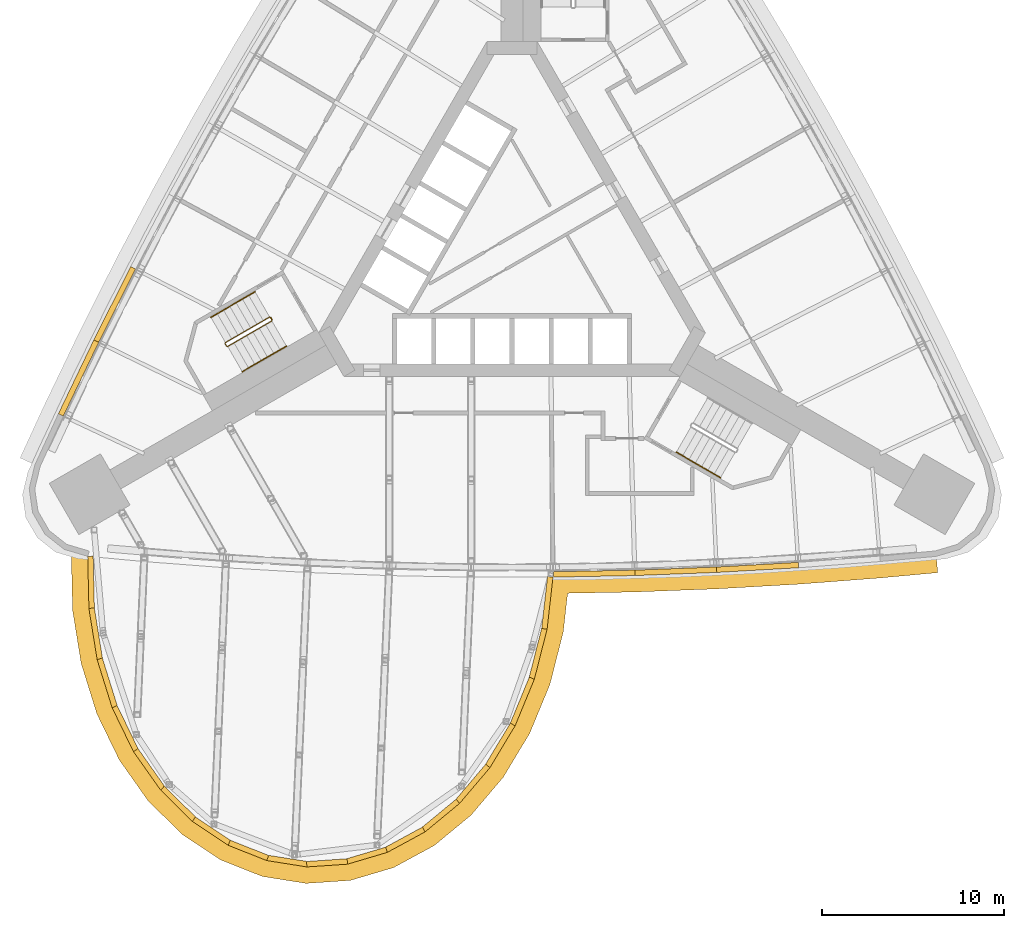
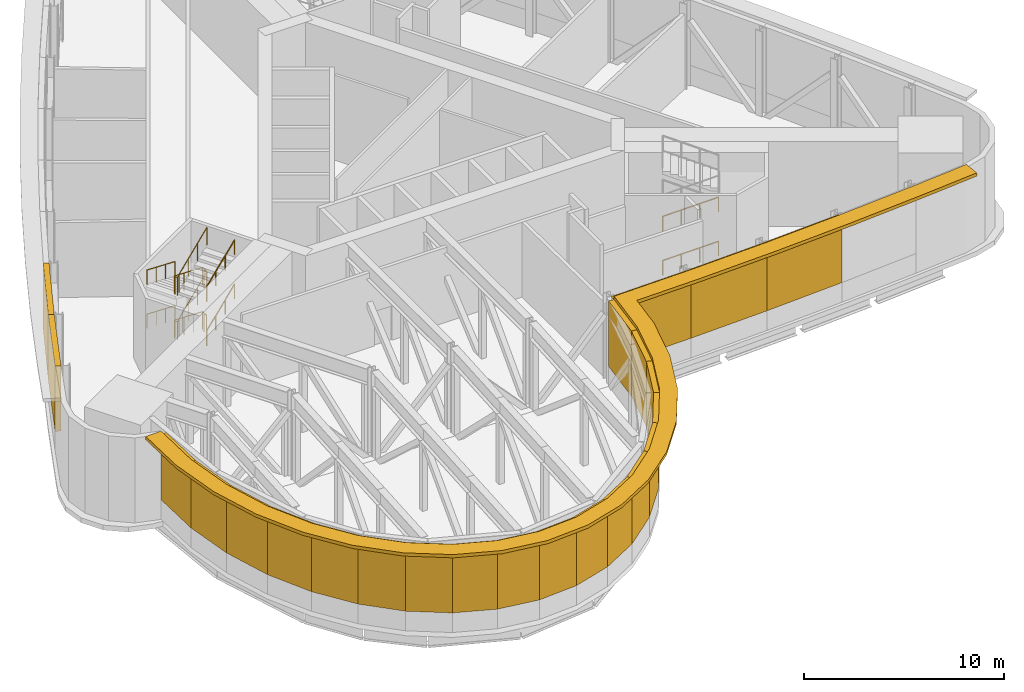
# One storey, part 9 of 10: 24 shading devices, 7 railings.
"""IFC4 building model written with IfcOpenShell, lengths in metres."""

from ifc_helpers import new_model, si_unit, direction, frame, origin, origin_2d, place, context, subcontext, project, spatial, polyline, circle, outline, extrude, material, type_object, element, save


model = new_model("IFC4")

# Units and contexts
model_context = context("Model", 3, precision=1e-05, world=origin(), true_north=direction((0.0, 1.0)))
body_context = subcontext(model_context, "Body", "Model", "MODEL_VIEW")
ifc_project = project(units=[si_unit("LENGTHUNIT", "METRE"), si_unit("AREAUNIT", "SQUARE_METRE"), si_unit("VOLUMEUNIT", "CUBIC_METRE"), si_unit("PLANEANGLEUNIT", "RADIAN"), si_unit("MASSUNIT", "GRAM", prefix="KILO")], contexts=[model_context])

# Site, building, storey
site_placement = place(None, origin())
site = spatial("IfcSite", under=ifc_project, at=site_placement, CompositionType="ELEMENT")
building_placement = place(site_placement, origin())
building = spatial("IfcBuilding", under=site, at=building_placement, Name="Noor Cloister Tower", CompositionType="ELEMENT")
storey_placement = place(building_placement, frame((0.0, 0.0, 52.800048828125)))
storey = spatial("IfcBuildingStorey", under=building, at=storey_placement, Name="L13", CompositionType="ELEMENT", Elevation=52.800048828125)

# Shading devices
ifc_material_1 = material(Name="Aluminium 6063-T6 anodised", Category="aluminium")
shading_device_type_1 = type_object("IfcShadingDeviceType", Name="LOUVRE plant air 40 percent free", PredefinedType="USERDEFINED", material=ifc_material_1)
shading_device_1_placement = place(storey_placement, frame((0.0, 0.0, 1.199951171875)))
element("IfcShadingDevice", 1, at=shading_device_1_placement, inside=storey, type_object=shading_device_type_1, Name="LOUVRE L13 1.8", ObjectType="LOUVRE", PredefinedType="USERDEFINED", context=body_context, shape_type="SweptSolid", body=[
    extrude(outline(polyline([(-20.939697265625, -0.89599609375), (-22.962890625, -4.91552734375), (-22.69482421875, -5.05029296875), (-20.671630859375, -1.03076171875), (-20.939697265625, -0.89599609375)])), origin(), (0.0, 0.0, 1.0), 4.0),
])
shading_device_2_placement = place(storey_placement, frame((0.0, 0.0, 1.199951171875)))
element("IfcShadingDevice", 2, at=shading_device_2_placement, inside=storey, type_object=shading_device_type_1, Name="LOUVRE L13 1.9", ObjectType="LOUVRE", PredefinedType="USERDEFINED", context=body_context, shape_type="SweptSolid", body=[
    extrude(outline(polyline([(-22.962890625, -4.91552734375), (-24.908935546875, -8.972900390625), (-24.638427734375, -9.1025390625), (-22.6923828125, -5.045166015625), (-22.962890625, -4.91552734375)])), origin(), (0.0, 0.0, 1.0), 4.0),
])
shading_device_3_placement = place(storey_placement, frame((0.0, 0.0, 1.199951171875)))
element("IfcShadingDevice", 3, at=shading_device_3_placement, inside=storey, type_object=shading_device_type_1, Name="LOUVRE L13 2.1", ObjectType="LOUVRE", PredefinedType="USERDEFINED", context=body_context, shape_type="SweptSolid", body=[
    extrude(outline(polyline([(-23.29736328125, -16.80029296875), (-23.2314453125, -19.67138671875), (-22.931396484375, -19.66455078125), (-22.997314453125, -16.79345703125), (-23.29736328125, -16.80029296875)])), origin(), (0.0, 0.0, 1.0), 4.0),
])
shading_device_4_placement = place(storey_placement, frame((0.0, 0.0, 1.199951171875)))
element("IfcShadingDevice", 4, at=shading_device_4_placement, inside=storey, type_object=shading_device_type_1, Name="LOUVRE L13 2.2", ObjectType="LOUVRE", PredefinedType="USERDEFINED", context=body_context, shape_type="SweptSolid", body=[
    extrude(outline(polyline([(-23.2314453125, -19.67138671875), (-22.779296875, -22.472412109375), (-22.483154296875, -22.4248046875), (-22.93505859375, -19.62353515625), (-23.2314453125, -19.67138671875)])), origin(), (0.0, 0.0, 1.0), 4.0),
])
shading_device_5_placement = place(storey_placement, frame((0.0, 0.0, 1.199951171875)))
element("IfcShadingDevice", 5, at=shading_device_5_placement, inside=storey, type_object=shading_device_type_1, Name="LOUVRE L13 2.3", ObjectType="LOUVRE", PredefinedType="USERDEFINED", context=body_context, shape_type="SweptSolid", body=[
    extrude(outline(polyline([(-22.779296875, -22.472412109375), (-21.954833984375, -25.11865234375), (-21.66845703125, -25.029541015625), (-22.492919921875, -22.38330078125), (-22.779296875, -22.472412109375)])), origin(), (0.0, 0.0, 1.0), 4.0),
])
shading_device_6_placement = place(storey_placement, frame((0.0, 0.0, 1.199951171875)))
element("IfcShadingDevice", 6, at=shading_device_6_placement, inside=storey, type_object=shading_device_type_1, Name="LOUVRE L13 2.4", ObjectType="LOUVRE", PredefinedType="USERDEFINED", context=body_context, shape_type="SweptSolid", body=[
    extrude(outline(polyline([(-21.954833984375, -25.11865234375), (-20.783203125, -27.529541015625), (-20.513427734375, -27.3984375), (-21.68505859375, -24.987548828125), (-21.954833984375, -25.11865234375)])), origin(), (0.0, 0.0, 1.0), 4.0),
])
shading_device_7_placement = place(storey_placement, frame((0.0, 0.0, 1.199951171875)))
element("IfcShadingDevice", 7, at=shading_device_7_placement, inside=storey, type_object=shading_device_type_1, Name="LOUVRE L13 2.5", ObjectType="LOUVRE", PredefinedType="USERDEFINED", context=body_context, shape_type="SweptSolid", body=[
    extrude(outline(polyline([(-20.783203125, -27.529541015625), (-19.299560546875, -29.6318359375), (-19.054443359375, -29.458740234375), (-20.5380859375, -27.3564453125), (-20.783203125, -27.529541015625)])), origin(), (0.0, 0.0, 1.0), 4.0),
])
shading_device_8_placement = place(storey_placement, frame((0.0, 0.0, 1.199951171875)))
element("IfcShadingDevice", 8, at=shading_device_8_placement, inside=storey, type_object=shading_device_type_1, Name="LOUVRE L13 2.6", ObjectType="LOUVRE", PredefinedType="USERDEFINED", context=body_context, shape_type="SweptSolid", body=[
    extrude(outline(polyline([(-19.299560546875, -29.6318359375), (-17.549560546875, -31.361328125), (-17.338623046875, -31.14794921875), (-19.0888671875, -29.41845703125), (-19.299560546875, -29.6318359375)])), origin(), (0.0, 0.0, 1.0), 4.0),
])
shading_device_9_placement = place(storey_placement, frame((0.0, 0.0, 1.199951171875)))
element("IfcShadingDevice", 9, at=shading_device_9_placement, inside=storey, type_object=shading_device_type_1, Name="LOUVRE L13 2.7", ObjectType="LOUVRE", PredefinedType="USERDEFINED", context=body_context, shape_type="SweptSolid", body=[
    extrude(outline(polyline([(-17.549560546875, -31.361328125), (-15.5859375, -32.666015625), (-15.419921875, -32.416259765625), (-17.383544921875, -31.111572265625), (-17.549560546875, -31.361328125)])), origin(), (0.0, 0.0, 1.0), 4.0),
])
shading_device_10_placement = place(storey_placement, frame((0.0, 0.0, 1.199951171875)))
element("IfcShadingDevice", 10, at=shading_device_10_placement, inside=storey, type_object=shading_device_type_1, Name="LOUVRE L13 2.8", ObjectType="LOUVRE", PredefinedType="USERDEFINED", context=body_context, shape_type="SweptSolid", body=[
    extrude(outline(polyline([(-15.5859375, -32.666015625), (-13.468505859375, -33.506103515625), (-13.35791015625, -33.22705078125), (-15.475341796875, -32.38720703125), (-15.5859375, -32.666015625)])), origin(), (0.0, 0.0, 1.0), 4.0),
])
shading_device_11_placement = place(storey_placement, frame((0.0, 0.0, 1.199951171875)))
element("IfcShadingDevice", 11, at=shading_device_11_placement, inside=storey, type_object=shading_device_type_1, Name="LOUVRE L13 2.9", ObjectType="LOUVRE", PredefinedType="USERDEFINED", context=body_context, shape_type="SweptSolid", body=[
    extrude(outline(polyline([(-13.468505859375, -33.506103515625), (-11.26171875, -33.855712890625), (-11.214599609375, -33.559326171875), (-13.421630859375, -33.209716796875), (-13.468505859375, -33.506103515625)])), origin(), (0.0, 0.0, 1.0), 4.0),
])
shading_device_12_placement = place(storey_placement, frame((0.0, 0.0, 1.199951171875)))
element("IfcShadingDevice", 12, at=shading_device_12_placement, inside=storey, type_object=shading_device_type_1, Name="LOUVRE L13 2.10", ObjectType="LOUVRE", PredefinedType="USERDEFINED", context=body_context, shape_type="SweptSolid", body=[
    extrude(outline(polyline([(-11.26171875, -33.855712890625), (-9.0322265625, -33.70458984375), (-9.052490234375, -33.4052734375), (-11.281982421875, -33.556396484375), (-11.26171875, -33.855712890625)])), origin(), (0.0, 0.0, 1.0), 4.0),
])
shading_device_13_placement = place(storey_placement, frame((0.0, 0.0, 1.199951171875)))
element("IfcShadingDevice", 13, at=shading_device_13_placement, inside=storey, type_object=shading_device_type_1, Name="LOUVRE L13 2.11", ObjectType="LOUVRE", PredefinedType="USERDEFINED", context=body_context, shape_type="SweptSolid", body=[
    extrude(outline(polyline([(-9.0322265625, -33.70458984375), (-6.84814453125, -33.05712890625), (-6.93359375, -32.76953125), (-9.117431640625, -33.4169921875), (-9.0322265625, -33.70458984375)])), origin(), (0.0, 0.0, 1.0), 4.0),
])
shading_device_14_placement = place(storey_placement, frame((0.0, 0.0, 1.199951171875)))
element("IfcShadingDevice", 14, at=shading_device_14_placement, inside=storey, type_object=shading_device_type_1, Name="LOUVRE L13 2.12", ObjectType="LOUVRE", PredefinedType="USERDEFINED", context=body_context, shape_type="SweptSolid", body=[
    extrude(outline(polyline([(-6.84814453125, -33.05712890625), (-4.77587890625, -31.933349609375), (-4.9189453125, -31.669677734375), (-6.9912109375, -32.79345703125), (-6.84814453125, -33.05712890625)])), origin(), (0.0, 0.0, 1.0), 4.0),
])
shading_device_15_placement = place(storey_placement, frame((0.0, 0.0, 1.199951171875)))
element("IfcShadingDevice", 15, at=shading_device_15_placement, inside=storey, type_object=shading_device_type_1, Name="LOUVRE L13 2.13", ObjectType="LOUVRE", PredefinedType="USERDEFINED", context=body_context, shape_type="SweptSolid", body=[
    extrude(outline(polyline([(-4.77587890625, -31.933349609375), (-2.878173828125, -30.366943359375), (-3.069091796875, -30.135498046875), (-4.966796875, -31.701904296875), (-4.77587890625, -31.933349609375)])), origin(), (0.0, 0.0, 1.0), 4.0),
])
shading_device_16_placement = place(storey_placement, frame((0.0, 0.0, 1.199951171875)))
element("IfcShadingDevice", 16, at=shading_device_16_placement, inside=storey, type_object=shading_device_type_1, Name="LOUVRE L13 2.14", ObjectType="LOUVRE", PredefinedType="USERDEFINED", context=body_context, shape_type="SweptSolid", body=[
    extrude(outline(polyline([(-2.878173828125, -30.366943359375), (-1.212890625, -28.40576171875), (-1.44140625, -28.21142578125), (-3.10693359375, -30.172607421875), (-2.878173828125, -30.366943359375)])), origin(), (0.0, 0.0, 1.0), 4.0),
])
shading_device_17_placement = place(storey_placement, frame((0.0, 0.0, 1.199951171875)))
element("IfcShadingDevice", 17, at=shading_device_17_placement, inside=storey, type_object=shading_device_type_1, Name="LOUVRE L13 2.15", ObjectType="LOUVRE", PredefinedType="USERDEFINED", context=body_context, shape_type="SweptSolid", body=[
    extrude(outline(polyline([(-1.212890625, -28.40576171875), (0.169677734375, -26.109130859375), (-0.08740234375, -25.95458984375), (-1.469970703125, -28.2509765625), (-1.212890625, -28.40576171875)])), origin(), (0.0, 0.0, 1.0), 4.0),
])
shading_device_18_placement = place(storey_placement, frame((0.0, 0.0, 1.199951171875)))
element("IfcShadingDevice", 18, at=shading_device_18_placement, inside=storey, type_object=shading_device_type_1, Name="LOUVRE L13 2.16", ObjectType="LOUVRE", PredefinedType="USERDEFINED", context=body_context, shape_type="SweptSolid", body=[
    extrude(outline(polyline([(0.169677734375, -26.109130859375), (1.227294921875, -23.54736328125), (0.949951171875, -23.432861328125), (-0.107666015625, -25.99462890625), (0.169677734375, -26.109130859375)])), origin(), (0.0, 0.0, 1.0), 4.0),
])
shading_device_19_placement = place(storey_placement, frame((0.0, 0.0, 1.199951171875)))
element("IfcShadingDevice", 19, at=shading_device_19_placement, inside=storey, type_object=shading_device_type_1, Name="LOUVRE L13 2.17", ObjectType="LOUVRE", PredefinedType="USERDEFINED", context=body_context, shape_type="SweptSolid", body=[
    extrude(outline(polyline([(1.227294921875, -23.54736328125), (1.927734375, -20.797607421875), (1.636962890625, -20.7236328125), (0.9365234375, -23.47314453125), (1.227294921875, -23.54736328125)])), origin(), (0.0, 0.0, 1.0), 4.0),
])
shading_device_20_placement = place(storey_placement, frame((0.0, 0.0, 1.199951171875)))
element("IfcShadingDevice", 20, at=shading_device_20_placement, inside=storey, type_object=shading_device_type_1, Name="LOUVRE L13 2.18", ObjectType="LOUVRE", PredefinedType="USERDEFINED", context=body_context, shape_type="SweptSolid", body=[
    extrude(outline(polyline([(1.927734375, -20.797607421875), (2.25, -17.944091796875), (1.951904296875, -17.910400390625), (1.629638671875, -20.76416015625), (1.927734375, -20.797607421875)])), origin(), (0.0, 0.0, 1.0), 4.0),
])
shading_device_21_placement = place(storey_placement, frame((0.0, 0.0, 1.199951171875)))
element("IfcShadingDevice", 21, at=shading_device_21_placement, inside=storey, type_object=shading_device_type_1, Name="LOUVRE L13 3.1", ObjectType="LOUVRE", PredefinedType="USERDEFINED", context=body_context, shape_type="SweptSolid", body=[
    extrude(outline(polyline([(2.25, -17.944091796875), (6.7490234375, -17.858154296875), (6.743408203125, -17.55810546875), (2.244140625, -17.64404296875), (2.25, -17.944091796875)])), origin(), (0.0, 0.0, 1.0), 4.0),
])
shading_device_22_placement = place(storey_placement, frame((0.0, 0.0, 1.199951171875)))
element("IfcShadingDevice", 22, at=shading_device_22_placement, inside=storey, type_object=shading_device_type_1, Name="LOUVRE L13 3.2", ObjectType="LOUVRE", PredefinedType="USERDEFINED", context=body_context, shape_type="SweptSolid", body=[
    extrude(outline(polyline([(6.7490234375, -17.858154296875), (11.24560546875, -17.686279296875), (11.234375, -17.386474609375), (6.737548828125, -17.558349609375), (6.7490234375, -17.858154296875)])), origin(), (0.0, 0.0, 1.0), 4.0),
])
shading_device_23_placement = place(storey_placement, frame((0.0, 0.0, 1.199951171875)))
element("IfcShadingDevice", 23, at=shading_device_23_placement, inside=storey, type_object=shading_device_type_1, Name="LOUVRE L13 3.3", ObjectType="LOUVRE", PredefinedType="USERDEFINED", context=body_context, shape_type="SweptSolid", body=[
    extrude(outline(polyline([(11.24560546875, -17.686279296875), (15.73828125, -17.4287109375), (15.72119140625, -17.129150390625), (11.228515625, -17.38671875), (11.24560546875, -17.686279296875)])), origin(), (0.0, 0.0, 1.0), 4.0),
])
ifc_material_2 = material(Name="Limestone", Category="masonry")
shading_device_type_2 = type_object("IfcShadingDeviceType", Name="SUNSHADE limestone band 900", PredefinedType="USERDEFINED", material=ifc_material_2)
shading_device_24_placement = place(storey_placement, frame((0.0, 0.0, 5.199951171875)))
element("IfcShadingDevice", 24, at=shading_device_24_placement, inside=storey, type_object=shading_device_type_2, Name="SUNSHADE L13 2", ObjectType="SUNSHADE", PredefinedType="USERDEFINED", context=body_context, shape_type="SweptSolid", body=[
    extrude(outline(polyline([(-24.197021484375, -16.821044921875), (-24.129638671875, -19.753662109375), (-23.65771484375, -22.67919921875), (-22.7939453125, -25.451171875), (-21.560546875, -27.98876953125), (-19.989013671875, -30.2158203125), (-18.1201171875, -32.062744140625), (-16.00537109375, -33.4677734375), (-13.707763671875, -34.37939453125), (-11.302001953125, -34.760498046875), (-8.8720703125, -34.595703125), (-6.502197265625, -33.893310546875), (-4.270263671875, -32.682861328125), (-2.243896484375, -31.01025390625), (-0.4794921875, -28.932373046875), (0.9755859375, -26.515380859375), (2.08349609375, -23.83154296875), (2.815185546875, -20.9599609375), (3.0556640625, -18.828857421875), (6.77490234375, -18.7578125), (11.28857421875, -18.58544921875), (15.79833984375, -18.32666015625), (20.301025390625, -17.982177734375), (23.38037109375, -17.696533203125), (23.29736328125, -16.80029296875), (20.22509765625, -17.085205078125), (15.73828125, -17.4287109375), (11.24560546875, -17.686279296875), (6.7490234375, -17.858154296875), (2.25, -17.944091796875), (1.927734375, -20.797607421875), (1.227294921875, -23.54736328125), (0.169677734375, -26.109130859375), (-1.212890625, -28.40576171875), (-2.878173828125, -30.366943359375), (-4.77587890625, -31.933349609375), (-6.84814453125, -33.05712890625), (-9.0322265625, -33.70458984375), (-11.26171875, -33.855712890625), (-13.468505859375, -33.506103515625), (-15.5859375, -32.666015625), (-17.549560546875, -31.361328125), (-19.299560546875, -29.6318359375), (-20.783203125, -27.529541015625), (-21.954833984375, -25.11865234375), (-22.779296875, -22.472412109375), (-23.2314453125, -19.67138671875), (-23.29736328125, -16.80029296875), (-24.197021484375, -16.821044921875)])), origin(), (0.0, 0.0, 1.0), 0.199951171875),
])

# Railings
ifc_material_3 = material(Name="Stainless steel", Category="steel")
railing_type_1 = type_object("IfcRailingType", Name="Stair guard 1100", PredefinedType="GUARDRAIL", material=ifc_material_3)
railing_1_placement = place(storey_placement, frame((-13.241455078125, -3.677734375, 0.0)))
element("IfcRailing", 25, at=railing_1_placement, inside=storey, type_object=railing_type_1, Name="Stair guard ST2 L13", PredefinedType="GUARDRAIL", context=body_context, shape_type="SweptSolid", body=[
    extrude(circle(Radius=0.02392578125, at=origin_2d()), frame((0.0, 0.0, 1.076171875), z_axis=(0.499112439033, -0.866537231285, 0.0), x_axis=(0.866537231285, 0.499112439033, 0.0)), (0.0, 0.0, 1.0), 0.150146484375),
    extrude(circle(Radius=0.02392578125, at=origin_2d()), frame((0.074951171875, -0.130126953125, 1.076171875), z_axis=(-0.537989232676, 0.556319359854, 0.633305894001), x_axis=(-0.718850276695, -0.695164929852, 0.0)), (0.0, 0.0, 1.0), 0.266357421875),
    extrude(circle(Radius=0.02392578125, at=origin_2d()), frame((-0.068359375, 0.01806640625, 1.24462890625), z_axis=(-0.79793860554, -0.460670556199, 0.388685760532), x_axis=(0.49998411664, -0.866034573852, 0.0)), (0.0, 0.0, 1.0), 3.038818359375),
    extrude(circle(Radius=0.02392578125, at=origin_2d()), frame((-2.4931640625, -1.3818359375, 2.42578125), z_axis=(-0.258736085224, -0.965948051503, 0.0), x_axis=(0.965948051503, -0.258736085224, 0.0)), (0.0, 0.0, 1.0), 0.07080078125),
    extrude(circle(Radius=0.02392578125, at=origin_2d()), frame((-2.511474609375, -1.4501953125, 2.42578125), z_axis=(0.499816412211, -0.866131372301, 0.0), x_axis=(0.866131372301, 0.499816412211, 0.0)), (0.0, 0.0, 1.0), 0.14990234375),
    extrude(circle(Radius=0.02392578125, at=origin_2d()), frame((-2.4365234375, -1.580078125, 2.42578125), z_axis=(0.373204309879, -0.099965440146, 0.922347794416), x_axis=(0.258736085224, 0.965948051503, 0.0)), (0.0, 0.0, 1.0), 0.18310546875),
    extrude(circle(Radius=0.02392578125, at=origin_2d()), frame((-2.3681640625, -1.598388671875, 2.5947265625), z_axis=(0.797909072615, 0.460733843279, 0.388671374679), x_axis=(-0.500049511043, 0.865996816683, 0.0)), (0.0, 0.0, 1.0), 3.0390625),
    extrude(circle(Radius=0.02392578125, at=origin_2d()), frame((0.056640625, -0.1982421875, 3.77587890625), z_axis=(-0.274721127897, 0.961523947641, 0.0), x_axis=(-0.961523947641, -0.274721127897, 0.0)), (0.0, 0.0, 1.0), 0.2060546875),
    extrude(circle(Radius=0.02392578125, at=origin_2d()), frame((0.0, 0.0, 3.77587890625), z_axis=(0.499112439033, -0.866537231285, 0.0), x_axis=(0.866537231285, 0.499112439033, 0.0)), (0.0, 0.0, 1.0), 0.150146484375),
    extrude(circle(Radius=0.02392578125, at=origin_2d()), frame((0.074951171875, -0.130126953125, 3.77587890625), z_axis=(-0.537989232676, 0.556319359854, 0.633305894001), x_axis=(-0.718850276695, -0.695164929852, 0.0)), (0.0, 0.0, 1.0), 0.266357421875),
    extrude(circle(Radius=0.02392578125, at=origin_2d()), frame((-0.068359375, 0.01806640625, 3.94482421875), z_axis=(-0.797913686838, -0.460656169989, 0.388753959989), x_axis=(0.49998411664, -0.866034573852, 0.0)), (0.0, 0.0, 1.0), 3.038818359375),
    extrude(circle(Radius=0.02392578125, at=origin_2d()), frame((-2.4931640625, -1.3818359375, 5.1259765625), z_axis=(-0.258736085224, -0.965948051503, 0.0), x_axis=(0.965948051503, -0.258736085224, 0.0)), (0.0, 0.0, 1.0), 0.07080078125),
    extrude(circle(Radius=0.02392578125, at=origin_2d()), frame((-2.511474609375, -1.4501953125, 5.1259765625), z_axis=(0.499816412211, -0.866131372301, 0.0), x_axis=(0.866131372301, 0.499816412211, 0.0)), (0.0, 0.0, 1.0), 0.14990234375),
    extrude(circle(Radius=0.02392578125, at=origin_2d()), frame((-2.4365234375, -1.580078125, 5.1259765625), z_axis=(0.373663631894, -0.100088472829, 0.922148462996), x_axis=(0.258736085224, 0.965948051503, 0.0)), (0.0, 0.0, 1.0), 0.182861328125),
    extrude(circle(Radius=0.02392578125, at=origin_2d()), frame((-2.3681640625, -1.598388671875, 5.294921875), z_axis=(0.797909072615, 0.460733843279, 0.388671374679), x_axis=(-0.500049511043, 0.865996816683, 0.0)), (0.0, 0.0, 1.0), 3.0390625),
    extrude(circle(Radius=0.02099609375, at=origin_2d()), origin(), (0.0, 0.0, 1.0), 1.052001953125),
    extrude(circle(Radius=0.02099609375, at=origin_2d()), frame((0.074951171875, -0.130126953125, 0.0)), (0.0, 0.0, 1.0), 1.052001953125),
    extrude(circle(Radius=0.02099609375, at=origin_2d()), frame((-0.068359375, 0.01806640625, 0.168701171875)), (0.0, 0.0, 1.0), 1.052001953125),
    extrude(circle(Radius=0.02099609375, at=origin_2d()), frame((-0.876708984375, -0.448486328125, 0.5625)), (0.0, 0.0, 1.0), 1.052001953125),
    extrude(circle(Radius=0.02099609375, at=origin_2d()), frame((-1.684814453125, -0.915283203125, 0.9560546875)), (0.0, 0.0, 1.0), 1.052001953125),
    extrude(circle(Radius=0.02099609375, at=origin_2d()), frame((-2.4931640625, -1.3818359375, 1.349853515625)), (0.0, 0.0, 1.0), 1.052001953125),
    extrude(circle(Radius=0.02099609375, at=origin_2d()), frame((-2.511474609375, -1.4501953125, 1.349853515625)), (0.0, 0.0, 1.0), 1.052001953125),
    extrude(circle(Radius=0.02099609375, at=origin_2d()), frame((-2.4365234375, -1.580078125, 1.349853515625)), (0.0, 0.0, 1.0), 1.052001953125),
    extrude(circle(Radius=0.02099609375, at=origin_2d()), frame((-2.3681640625, -1.598388671875, 1.518798828125)), (0.0, 0.0, 1.0), 1.052001953125),
    extrude(circle(Radius=0.02099609375, at=origin_2d()), frame((-1.559814453125, -1.131591796875, 1.91259765625)), (0.0, 0.0, 1.0), 1.052001953125),
    extrude(circle(Radius=0.02099609375, at=origin_2d()), frame((-0.751708984375, -0.6650390625, 2.30615234375)), (0.0, 0.0, 1.0), 1.052001953125),
    extrude(circle(Radius=0.02099609375, at=origin_2d()), frame((0.056640625, -0.1982421875, 2.699951171875)), (0.0, 0.0, 1.0), 1.052001953125),
    extrude(circle(Radius=0.02099609375, at=origin_2d()), frame((0.0, 0.0, 2.699951171875)), (0.0, 0.0, 1.0), 1.052001953125),
    extrude(circle(Radius=0.02099609375, at=origin_2d()), frame((0.074951171875, -0.130126953125, 2.699951171875)), (0.0, 0.0, 1.0), 1.052001953125),
    extrude(circle(Radius=0.02099609375, at=origin_2d()), frame((-0.068359375, 0.01806640625, 2.86865234375)), (0.0, 0.0, 1.0), 1.052001953125),
    extrude(circle(Radius=0.02099609375, at=origin_2d()), frame((-0.876708984375, -0.448486328125, 3.262451171875)), (0.0, 0.0, 1.0), 1.052001953125),
    extrude(circle(Radius=0.02099609375, at=origin_2d()), frame((-1.684814453125, -0.915283203125, 3.65625)), (0.0, 0.0, 1.0), 1.052001953125),
    extrude(circle(Radius=0.02099609375, at=origin_2d()), frame((-2.4931640625, -1.3818359375, 4.050048828125)), (0.0, 0.0, 1.0), 1.052001953125),
    extrude(circle(Radius=0.02099609375, at=origin_2d()), frame((-2.511474609375, -1.4501953125, 4.050048828125)), (0.0, 0.0, 1.0), 1.052001953125),
    extrude(circle(Radius=0.02099609375, at=origin_2d()), frame((-2.4365234375, -1.580078125, 4.050048828125)), (0.0, 0.0, 1.0), 1.052001953125),
    extrude(circle(Radius=0.02099609375, at=origin_2d()), frame((-2.3681640625, -1.598388671875, 4.21875)), (0.0, 0.0, 1.0), 1.052001953125),
    extrude(circle(Radius=0.02099609375, at=origin_2d()), frame((-1.559814453125, -1.131591796875, 4.612548828125)), (0.0, 0.0, 1.0), 1.052001953125),
    extrude(circle(Radius=0.02099609375, at=origin_2d()), frame((-0.751708984375, -0.6650390625, 5.006103515625)), (0.0, 0.0, 1.0), 1.052001953125),
    extrude(circle(Radius=0.02099609375, at=origin_2d()), frame((0.056640625, -0.1982421875, 5.39990234375)), (0.0, 0.0, 1.0), 1.052001953125),
])
ifc_material_4 = material(Name="Stainless steel", Category="steel")
railing_type_2 = type_object("IfcRailingType", Name="Stair handrail 900", PredefinedType="HANDRAIL", material=ifc_material_4)
railing_2_placement = place(storey_placement, frame((-14.10986328125, -2.27392578125, 0.168701171875)))
element("IfcRailing", 26, at=railing_2_placement, inside=storey, type_object=railing_type_2, Name="Stair handrail ST2 L13 1", PredefinedType="HANDRAIL", context=body_context, shape_type="SweptSolid", body=[
    extrude(circle(Radius=0.02392578125, at=origin_2d()), frame((0.0, 0.0, 0.8759765625), z_axis=(-0.79793860554, -0.460670556199, 0.388685760532), x_axis=(0.49998411664, -0.866034573852, 0.0)), (0.0, 0.0, 1.0), 3.038818359375),
    extrude(circle(Radius=0.02099609375, at=origin_2d()), origin(), (0.0, 0.0, 1.0), 0.851806640625),
    extrude(circle(Radius=0.02099609375, at=origin_2d()), frame((-0.808349609375, -0.466552734375, 0.393798828125)), (0.0, 0.0, 1.0), 0.851806640625),
    extrude(circle(Radius=0.02099609375, at=origin_2d()), frame((-1.616455078125, -0.933349609375, 0.787353515625)), (0.0, 0.0, 1.0), 0.851806640625),
    extrude(circle(Radius=0.02099609375, at=origin_2d()), frame((-2.4248046875, -1.39990234375, 1.18115234375)), (0.0, 0.0, 1.0), 0.851806640625),
])
railing_3_placement = place(storey_placement, frame((-14.8095703125, -6.66162109375, 1.518798828125)))
element("IfcRailing", 27, at=railing_3_placement, inside=storey, type_object=railing_type_2, Name="Stair handrail ST2 L13 2", PredefinedType="HANDRAIL", context=body_context, shape_type="SweptSolid", body=[
    extrude(circle(Radius=0.02392578125, at=origin_2d()), frame((0.0, 0.0, 0.8759765625), z_axis=(0.79793860554, 0.460670556199, 0.388685760532), x_axis=(-0.49998411664, 0.866034573852, 0.0)), (0.0, 0.0, 1.0), 3.038818359375),
    extrude(circle(Radius=0.02099609375, at=origin_2d()), origin(), (0.0, 0.0, 1.0), 0.851806640625),
    extrude(circle(Radius=0.02099609375, at=origin_2d()), frame((0.808349609375, 0.466552734375, 0.393798828125)), (0.0, 0.0, 1.0), 0.851806640625),
    extrude(circle(Radius=0.02099609375, at=origin_2d()), frame((1.616455078125, 0.933349609375, 0.787353515625)), (0.0, 0.0, 1.0), 0.851806640625),
    extrude(circle(Radius=0.02099609375, at=origin_2d()), frame((2.4248046875, 1.39990234375, 1.18115234375)), (0.0, 0.0, 1.0), 0.851806640625),
])
railing_4_placement = place(storey_placement, frame((-14.10986328125, -2.27392578125, 2.86865234375)))
element("IfcRailing", 28, at=railing_4_placement, inside=storey, type_object=railing_type_2, Name="Stair handrail ST2 L13 3", PredefinedType="HANDRAIL", context=body_context, shape_type="SweptSolid", body=[
    extrude(circle(Radius=0.02392578125, at=origin_2d()), frame((0.0, 0.0, 0.8759765625), z_axis=(-0.797913686838, -0.460656169989, 0.388753959989), x_axis=(0.49998411664, -0.866034573852, 0.0)), (0.0, 0.0, 1.0), 3.038818359375),
    extrude(circle(Radius=0.02099609375, at=origin_2d()), origin(), (0.0, 0.0, 1.0), 0.851806640625),
    extrude(circle(Radius=0.02099609375, at=origin_2d()), frame((-0.808349609375, -0.466552734375, 0.393798828125)), (0.0, 0.0, 1.0), 0.851806640625),
    extrude(circle(Radius=0.02099609375, at=origin_2d()), frame((-1.616455078125, -0.933349609375, 0.78759765625)), (0.0, 0.0, 1.0), 0.851806640625),
    extrude(circle(Radius=0.02099609375, at=origin_2d()), frame((-2.4248046875, -1.39990234375, 1.181396484375)), (0.0, 0.0, 1.0), 0.851806640625),
])
railing_5_placement = place(storey_placement, frame((-14.8095703125, -6.66162109375, 4.21875)))
element("IfcRailing", 29, at=railing_5_placement, inside=storey, type_object=railing_type_2, Name="Stair handrail ST2 L13 4", PredefinedType="HANDRAIL", context=body_context, shape_type="SweptSolid", body=[
    extrude(circle(Radius=0.02392578125, at=origin_2d()), frame((0.0, 0.0, 0.8759765625), z_axis=(0.79793860554, 0.460670556199, 0.388685760532), x_axis=(-0.49998411664, 0.866034573852, 0.0)), (0.0, 0.0, 1.0), 3.038818359375),
    extrude(circle(Radius=0.02099609375, at=origin_2d()), origin(), (0.0, 0.0, 1.0), 0.851806640625),
    extrude(circle(Radius=0.02099609375, at=origin_2d()), frame((0.808349609375, 0.466552734375, 0.393798828125)), (0.0, 0.0, 1.0), 0.851806640625),
    extrude(circle(Radius=0.02099609375, at=origin_2d()), frame((1.616455078125, 0.933349609375, 0.787353515625)), (0.0, 0.0, 1.0), 0.851806640625),
    extrude(circle(Radius=0.02099609375, at=origin_2d()), frame((2.4248046875, 1.39990234375, 1.18115234375)), (0.0, 0.0, 1.0), 0.851806640625),
])
railing_6_placement = place(storey_placement, frame((9.024169921875, -11.08251953125, 0.168701171875)))
element("IfcRailing", 30, at=railing_6_placement, inside=storey, type_object=railing_type_2, Name="Stair handrail ST3 L13 1", PredefinedType="HANDRAIL", context=body_context, shape_type="SweptSolid", body=[
    extrude(circle(Radius=0.02392578125, at=origin_2d()), frame((0.0, 0.0, 0.8759765625), z_axis=(0.79793860554, -0.460670556199, 0.388685760532), x_axis=(0.49998411664, 0.866034573852, 0.0)), (0.0, 0.0, 1.0), 3.038818359375),
    extrude(circle(Radius=0.02099609375, at=origin_2d()), origin(), (0.0, 0.0, 1.0), 0.851806640625),
    extrude(circle(Radius=0.02099609375, at=origin_2d()), frame((0.808349609375, -0.466552734375, 0.393798828125)), (0.0, 0.0, 1.0), 0.851806640625),
    extrude(circle(Radius=0.02099609375, at=origin_2d()), frame((1.616455078125, -0.933349609375, 0.787353515625)), (0.0, 0.0, 1.0), 0.851806640625),
    extrude(circle(Radius=0.02099609375, at=origin_2d()), frame((2.4248046875, -1.39990234375, 1.18115234375)), (0.0, 0.0, 1.0), 0.851806640625),
])
railing_7_placement = place(storey_placement, frame((9.024169921875, -11.08251953125, 2.86865234375)))
element("IfcRailing", 31, at=railing_7_placement, inside=storey, type_object=railing_type_2, Name="Stair handrail ST3 L13 3", PredefinedType="HANDRAIL", context=body_context, shape_type="SweptSolid", body=[
    extrude(circle(Radius=0.02392578125, at=origin_2d()), frame((0.0, 0.0, 0.8759765625), z_axis=(0.797913686838, -0.460656169989, 0.388753959989), x_axis=(0.49998411664, 0.866034573852, 0.0)), (0.0, 0.0, 1.0), 3.038818359375),
    extrude(circle(Radius=0.02099609375, at=origin_2d()), origin(), (0.0, 0.0, 1.0), 0.851806640625),
    extrude(circle(Radius=0.02099609375, at=origin_2d()), frame((0.808349609375, -0.466552734375, 0.393798828125)), (0.0, 0.0, 1.0), 0.851806640625),
    extrude(circle(Radius=0.02099609375, at=origin_2d()), frame((1.616455078125, -0.933349609375, 0.78759765625)), (0.0, 0.0, 1.0), 0.851806640625),
    extrude(circle(Radius=0.02099609375, at=origin_2d()), frame((2.4248046875, -1.39990234375, 1.181396484375)), (0.0, 0.0, 1.0), 0.851806640625),
])

save(model, "model.ifc")
